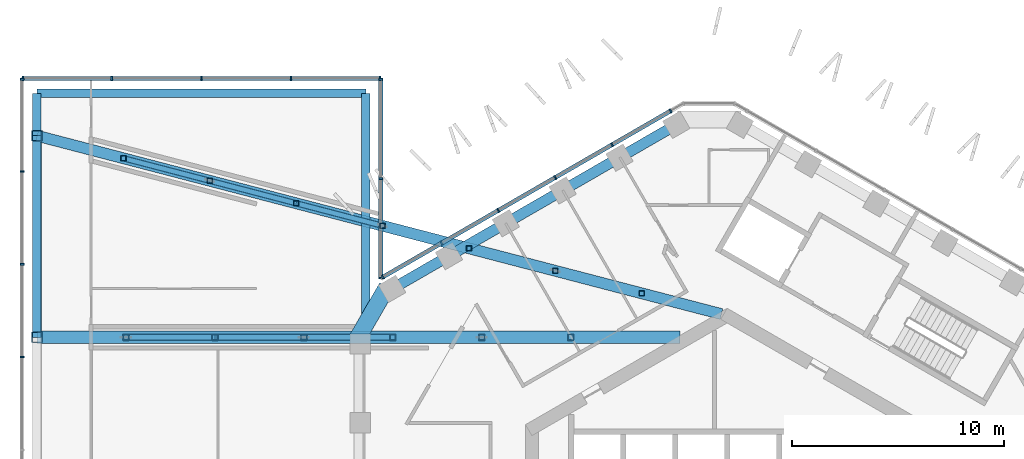
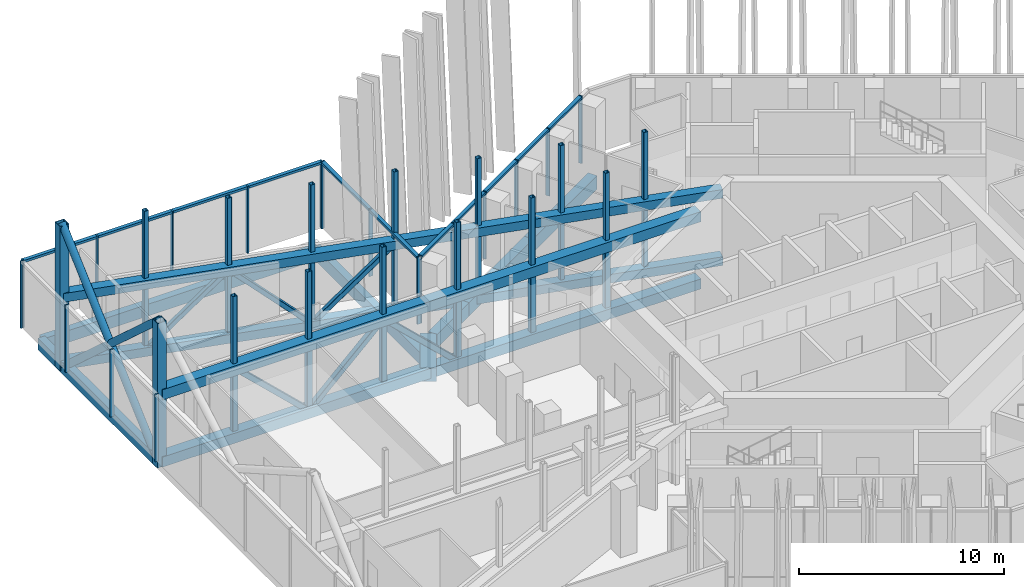
# One storey, part 8 of 28: 61 members, 10 beams, 4 elements without a shape of their own.
"""IFC4 building model written with IfcOpenShell, lengths in metres."""

import ifcopenshell
import ifcopenshell.guid

model = None  # the IFC model being written
_history = None  # IfcOwnerHistory: only IFC2X3 demands one
_inside = {}  # id of a spatial element -> (the spatial element, [elements in it])
_under = {}  # id of a project, library or spatial element -> (it, [spatial elements below it])
_declared = {}  # id of a project -> (the project, [libraries it declares])
_typed = {}  # id of a type object -> (the type object, [elements of that type])
_made_of = {}  # id of a material, layer set ... -> (it, [elements and type objects made of it])


def new_model(schema):
    """Start an empty IFC model of exactly this schema.

    Asked for "IFC4X3", IfcOpenShell would pick the latest addendum, in which some entities
    have other attributes; the version numbers below select the first issue.
    IFC2X3 requires an IfcOwnerHistory on every rooted entity: one is made here for all.
    """
    global model, _history
    if schema == "IFC4X3":
        model = ifcopenshell.file(schema_version=(4, 3, 0, 0))
    else:
        model = ifcopenshell.file(schema=schema)
    _inside.clear()
    _under.clear()
    _declared.clear()
    _typed.clear()
    _made_of.clear()
    _history = None
    if model.schema == "IFC2X3":
        org = make("IfcOrganization", Name="unknown")
        user = make(
            "IfcPersonAndOrganization",
            ThePerson=make("IfcPerson", FamilyName="unknown"),
            TheOrganization=org,
        )
        app = make(
            "IfcApplication",
            ApplicationDeveloper=org,
            Version="unknown",
            ApplicationFullName="unknown",
            ApplicationIdentifier="unknown",
        )
        _history = make(
            "IfcOwnerHistory",
            OwningUser=user,
            OwningApplication=app,
            ChangeAction="ADDED",
            CreationDate=0,
        )
    return model


def make(cls, **values):
    """One entity of the class cls with the attributes given. An attribute that is None is left unset."""
    return model.create_entity(
        cls, **{name: value for name, value in values.items() if value is not None}
    )


def rooted(cls, **values):
    """An entity with a GlobalId (a new one), such as an element, a storey or a relation."""
    return make(cls, GlobalId=ifcopenshell.guid.new(), OwnerHistory=_history, **values)


def si_unit(unit_type, name, prefix=None):
    """IfcSIUnit, for example si_unit("LENGTHUNIT", "METRE", prefix="MILLI")."""
    return make("IfcSIUnit", UnitType=unit_type, Prefix=prefix, Name=name)


def assignment(units):
    """IfcUnitAssignment: the units of a project."""
    return None if units is None else make("IfcUnitAssignment", Units=units)


def point(xyz):
    """IfcCartesianPoint."""
    return None if xyz is None else make("IfcCartesianPoint", Coordinates=xyz)


def direction(xyz):
    """IfcDirection."""
    return None if xyz is None else make("IfcDirection", DirectionRatios=xyz)


def frame(location, z_axis=None, x_axis=None):
    """IfcAxis2Placement3D, a coordinate frame: its origin and axes. An axis left out is left unset."""
    return make(
        "IfcAxis2Placement3D",
        Location=point(location),
        Axis=direction(z_axis),
        RefDirection=direction(x_axis),
    )


def frame_2d(location, x_axis=None):
    """IfcAxis2Placement2D, a coordinate frame in the plane: its origin and x axis."""
    return make(
        "IfcAxis2Placement2D", Location=point(location), RefDirection=direction(x_axis)
    )


def origin():
    """The frame at (0, 0, 0) with its axes left unset."""
    return frame((0.0, 0.0, 0.0))


def origin_2d():
    """The frame at (0, 0) in the plane with its x axis left unset."""
    return frame_2d((0.0, 0.0))


def place(relative_to, where):
    """IfcLocalPlacement: puts the frame where relative to a parent placement (None: the world)."""
    return make(
        "IfcLocalPlacement", PlacementRelTo=relative_to, RelativePlacement=where
    )


def context(
    kind, dimensions, precision=None, world=None, true_north=None, identifier=None
):
    """IfcGeometricRepresentationContext, for example the 3D "Model" context."""
    return make(
        "IfcGeometricRepresentationContext",
        ContextIdentifier=identifier,
        ContextType=kind,
        CoordinateSpaceDimension=dimensions,
        Precision=precision,
        WorldCoordinateSystem=world,
        TrueNorth=true_north,
    )


def subcontext(parent, identifier, kind, view, scale=None):
    """IfcGeometricRepresentationSubContext, for example "Body" below "Model"."""
    return make(
        "IfcGeometricRepresentationSubContext",
        ContextIdentifier=identifier,
        ContextType=kind,
        ParentContext=parent,
        TargetScale=scale,
        TargetView=view,
    )


def project(units=None, contexts=None):
    """IfcProject with its units and contexts."""
    return rooted(
        "IfcProject",
        Name="project",
        RepresentationContexts=contexts,
        UnitsInContext=assignment(units),
    )


def spatial(cls, under=None, at=None, **own):
    """A site, building, storey or space (cls), placed at a placement, below another one or the project."""
    s = rooted(cls, ObjectPlacement=at, **own)
    if under is not None:
        _under.setdefault(under.id(), (under, []))[1].append(s)
    return s


def profile(cls, at=None, kind="AREA", **sizes):
    """A parametric profile (cls). Its sizes go by their IFC names, for example OverallWidth=200.0."""
    return make(cls, ProfileType=kind, Position=at, **sizes)


def rectangle(**sizes):
    """IfcRectangleProfileDef."""
    return profile("IfcRectangleProfileDef", **sizes)


def hollow_rectangle(**sizes):
    """IfcRectangleHollowProfileDef."""
    return profile("IfcRectangleHollowProfileDef", **sizes)


def hollow_circle(**sizes):
    """IfcCircleHollowProfileDef."""
    return profile("IfcCircleHollowProfileDef", **sizes)


def extrude(swept, where, along, depth):
    """IfcExtrudedAreaSolid: the profile swept, set in the frame where, extruded along a direction by depth."""
    return make(
        "IfcExtrudedAreaSolid",
        SweptArea=swept,
        Position=where,
        ExtrudedDirection=direction(along),
        Depth=depth,
    )


def shape(context_of_items, identifier, shape_type, items):
    """IfcShapeRepresentation: the items that make up one representation, for example the "Body"."""
    return make(
        "IfcShapeRepresentation",
        ContextOfItems=context_of_items,
        RepresentationIdentifier=identifier,
        RepresentationType=shape_type,
        Items=items,
    )


def material(Name=None, Category=None):
    """IfcMaterial."""
    return make("IfcMaterial", Name=Name, Category=Category)


def layer(
    of_material, thickness, ventilated=None, Name=None, Category=None, Priority=None
):
    """IfcMaterialLayer: one layer of a wall or slab, of a material (None: an air gap)."""
    return make(
        "IfcMaterialLayer",
        Material=of_material,
        LayerThickness=thickness,
        IsVentilated=ventilated,
        Name=Name,
        Category=Category,
        Priority=Priority,
    )


def layer_set(layers, Name=None):
    """IfcMaterialLayerSet."""
    return make("IfcMaterialLayerSet", MaterialLayers=layers, LayerSetName=Name)


def material_profile(
    of_material, cross_section, Name=None, Category=None, Priority=None
):
    """IfcMaterialProfile: a cross section and its material."""
    return make(
        "IfcMaterialProfile",
        Name=Name,
        Material=of_material,
        Profile=cross_section,
        Priority=Priority,
        Category=Category,
    )


def profile_set(profiles, Name=None, composite=None):
    """IfcMaterialProfileSet."""
    return make(
        "IfcMaterialProfileSet",
        Name=Name,
        MaterialProfiles=profiles,
        CompositeProfile=composite,
    )


def made_of(thing, what):
    """Note that an element or type object is made of a material, layer set ...; save() writes the relation."""
    if what is not None:
        _made_of.setdefault(what.id(), (what, []))[1].append(thing)
    return thing


def type_object(cls, material=None, **own):
    """A type object (cls), such as IfcWallType, which elements share."""
    return made_of(rooted(cls, **own), material)


def element(
    cls,
    number,
    at=None,
    inside=None,
    cuts=None,
    type_object=None,
    material=None,
    context=None,
    identifier="Body",
    shape_type=None,
    held_by="IfcProductDefinitionShape",
    body=None,
    shapes=None,
    **own,
):
    """One element of the class cls, such as IfcWall. Its Tag is "e" and its number.

    at: its placement. inside: the storey or other place that contains it. cuts: it is an
    opening in that element (IfcRelVoidsElement). A single representation is given by context,
    identifier, shape_type and body (its items); several are given by shapes. held_by: the class
    of the entity that holds the representations. save() writes the other relations.
    """
    e = rooted(cls, Tag="e%d" % number, ObjectPlacement=at, **own)
    if body is not None:
        shapes = [shape(context, identifier, shape_type, body)]
    if shapes is not None:
        e.Representation = make(held_by, Representations=shapes)
    if inside is not None:
        _inside.setdefault(inside.id(), (inside, []))[1].append(e)
    if cuts is not None:
        rooted(
            "IfcRelVoidsElement", RelatingBuildingElement=cuts, RelatedOpeningElement=e
        )
    if type_object is not None:
        _typed.setdefault(type_object.id(), (type_object, []))[1].append(e)
    return made_of(e, material)


def aggregate(whole, parts):
    """IfcRelAggregates: a whole, such as a stair, and the parts it consists of."""
    return rooted("IfcRelAggregates", RelatingObject=whole, RelatedObjects=parts)


def save(model, path):
    """Write the relations noted so far, then the file.

    IfcRelAggregates (storeys below a building ...), IfcRelContainedInSpatialStructure (elements
    in a storey), IfcRelDefinesByType, IfcRelAssociatesMaterial and IfcRelDeclares: one each for
    every whole, place, type object, material and project.
    """
    for whole, parts in _under.values():
        aggregate(whole, parts)
    for where, things in _inside.values():
        rooted(
            "IfcRelContainedInSpatialStructure",
            RelatedElements=things,
            RelatingStructure=where,
        )
    for kind, things in _typed.values():
        rooted("IfcRelDefinesByType", RelatedObjects=things, RelatingType=kind)
    for what, things in _made_of.values():
        rooted("IfcRelAssociatesMaterial", RelatedObjects=things, RelatingMaterial=what)
    for by, libraries in _declared.values():
        rooted("IfcRelDeclares", RelatingContext=by, RelatedDefinitions=libraries)
    model.write(path)


model = new_model("IFC4")

# Units and contexts
model_context = context("Model", 3, precision=1e-05, world=origin(), true_north=direction((0.0, 1.0)))
body_context = subcontext(model_context, "Body", "Model", "MODEL_VIEW")
ifc_project = project(units=[si_unit("LENGTHUNIT", "METRE"), si_unit("AREAUNIT", "SQUARE_METRE"), si_unit("VOLUMEUNIT", "CUBIC_METRE"), si_unit("PLANEANGLEUNIT", "RADIAN"), si_unit("MASSUNIT", "GRAM", prefix="KILO")], contexts=[model_context])

# Site, building, storey
site_placement = place(None, origin())
site = spatial("IfcSite", under=ifc_project, at=site_placement, CompositionType="ELEMENT")
building_placement = place(site_placement, origin())
building = spatial("IfcBuilding", under=site, at=building_placement, Name="Ayvan Gate Tower", CompositionType="ELEMENT")
storey_placement = place(building_placement, frame((0.0, 0.0, 202.10009765625)))
storey = spatial("IfcBuildingStorey", under=building, at=storey_placement, Name="L54", CompositionType="ELEMENT", Elevation=202.10009765625)

# Beams
ifc_material_1 = material(Name="Concrete C40/50", Category="concrete")
ifc_material_profile_1 = material_profile(ifc_material_1, rectangle(XDim=0.800048828125, YDim=0.800048828125, at=origin_2d()), Name="RC 800x800")
ifc_profile_set_1 = profile_set([ifc_material_profile_1], Name="Concrete C40/50")
beam_type_1 = type_object("IfcBeamType", Name="Corner spandrel beam RC 800x800 C40/50", PredefinedType="BEAM", material=ifc_profile_set_1)
beam_1_placement = place(storey_placement, frame((-16.02880859375, 11.9658203125, -0.800048828125), z_axis=(-0.499990139034, -0.866031096941, 0.0), x_axis=(0.866031096941, -0.499990139034, 0.0)))
element("IfcBeam", 1, at=beam_1_placement, inside=storey, type_object=beam_type_1, Name="SB-L54-18", PredefinedType="BEAM", context=body_context, shape_type="SweptSolid", body=[
    extrude(rectangle(XDim=0.800048828125, YDim=0.800048828125, at=origin_2d()), origin(), (0.0, 0.0, 1.0), 3.0),
])
ifc_material_profile_2 = material_profile(ifc_material_1, rectangle(XDim=0.39990234375, YDim=0.699951171875, at=origin_2d()), Name="RC 400x700")
ifc_profile_set_2 = profile_set([ifc_material_profile_2], Name="Concrete C40/50")
beam_type_2 = type_object("IfcBeamType", Name="Sky bar edge beam RC 400x700 C40/50", PredefinedType="BEAM", material=ifc_profile_set_2)
beam_2_placement = place(storey_placement, frame((-32.524169921875, 9.60009765625, -0.75), z_axis=(0.0, 1.0, 0.0), x_axis=(-1.0, 0.0, 0.0)))
element("IfcBeam", 2, at=beam_2_placement, inside=storey, type_object=beam_type_2, Name="EB-B5-L54-6", PredefinedType="BEAM", context=body_context, shape_type="SweptSolid", body=[
    extrude(rectangle(XDim=0.39990234375, YDim=0.699951171875, at=origin_2d()), origin(), (0.0, 0.0, 1.0), 9.5),
])
beam_3_placement = place(storey_placement, frame((-32.524169921875, 19.10009765625, -0.75), z_axis=(0.0, 1.0, 0.0), x_axis=(-1.0, 0.0, 0.0)))
element("IfcBeam", 3, at=beam_3_placement, inside=storey, type_object=beam_type_2, Name="EB-B5-L54-7", PredefinedType="BEAM", context=body_context, shape_type="SweptSolid", body=[
    extrude(rectangle(XDim=0.39990234375, YDim=0.699951171875, at=origin_2d()), origin(), (0.0, 0.0, 1.0), 2.0),
])
beam_4_placement = place(storey_placement, frame((-32.524169921875, 21.10009765625, -0.75), z_axis=(1.0, 0.0, 0.0), x_axis=(0.0, 1.0, 0.0)))
element("IfcBeam", 4, at=beam_4_placement, inside=storey, type_object=beam_type_2, Name="EB-B5-L54-8", PredefinedType="BEAM", context=body_context, shape_type="SweptSolid", body=[
    extrude(rectangle(XDim=0.39990234375, YDim=0.699951171875, at=origin_2d()), origin(), (0.0, 0.0, 1.0), 15.5),
])
beam_5_placement = place(storey_placement, frame((-17.024169921875, 21.10009765625, -0.75), z_axis=(0.0, -1.0, 0.0), x_axis=(1.0, 0.0, 0.0)))
element("IfcBeam", 5, at=beam_5_placement, inside=storey, type_object=beam_type_2, Name="EB-B5-L54-9", PredefinedType="BEAM", context=body_context, shape_type="SweptSolid", body=[
    extrude(rectangle(XDim=0.39990234375, YDim=0.699951171875, at=origin_2d()), origin(), (0.0, 0.0, 1.0), 10.637451171875),
])

# Members
ifc_material_2 = material(Name="Steel S460NH", Category="steel")
ifc_material_profile_3 = material_profile(ifc_material_2, hollow_rectangle(XDim=0.260009765625, YDim=0.260009765625, WallThickness=0.01611328125, InnerFilletRadius=0.01611328125, OuterFilletRadius=0.02392578125, at=origin_2d()), Name="RHS 260x260x16")
ifc_profile_set_3 = profile_set([ifc_material_profile_3], Name="Steel S460NH")
member_type_1 = type_object("IfcMemberType", Name="Sky bar end truss brace B5 RHS 260x260x16", PredefinedType="BRACE", material=ifc_profile_set_3)
member_1_placement = place(storey_placement, frame((-16.238525390625, 14.85595703125, 3.2998046875), z_axis=(-0.701330219095, 0.182765553288, -0.689008473326), x_axis=(-0.252176233135, -0.967681325355, 0.0)))
element("IfcMember", 6, at=member_1_placement, inside=storey, type_object=member_type_1, Name="SBT5-1-D-5", PredefinedType="BRACE", context=body_context, shape_type="SweptSolid", body=[
    extrude(hollow_rectangle(XDim=0.260009765625, YDim=0.260009765625, WallThickness=0.01611328125, InnerFilletRadius=0.01611328125, OuterFilletRadius=0.02392578125, at=origin_2d()), origin(), (0.0, 0.0, 1.0), 5.805419921875),
])
member_2_placement = place(storey_placement, frame((-20.31005859375, 15.9169921875, -0.7001953125), z_axis=(-0.701308849134, 0.182770943772, 0.689028794927), x_axis=(-0.252190393502, -0.967677635076, 0.0)))
element("IfcMember", 7, at=member_2_placement, inside=storey, type_object=member_type_1, Name="SBT5-1-D-6", PredefinedType="BRACE", context=body_context, shape_type="SweptSolid", body=[
    extrude(hollow_rectangle(XDim=0.260009765625, YDim=0.260009765625, WallThickness=0.01611328125, InnerFilletRadius=0.01611328125, OuterFilletRadius=0.02392578125, at=origin_2d()), origin(), (0.0, 0.0, 1.0), 5.80517578125),
])
member_3_placement = place(storey_placement, frame((-24.38134765625, 16.97802734375, 3.2998046875), z_axis=(-0.701330219095, 0.182765553288, -0.689008473326), x_axis=(-0.252176233135, -0.967681325355, 0.0)))
element("IfcMember", 8, at=member_3_placement, inside=storey, type_object=member_type_1, Name="SBT5-1-D-7", PredefinedType="BRACE", context=body_context, shape_type="SweptSolid", body=[
    extrude(hollow_rectangle(XDim=0.260009765625, YDim=0.260009765625, WallThickness=0.01611328125, InnerFilletRadius=0.01611328125, OuterFilletRadius=0.02392578125, at=origin_2d()), origin(), (0.0, 0.0, 1.0), 5.805419921875),
])
ifc_material_3 = material(Name="Steel S460ML", Category="steel")
ifc_material_profile_4 = material_profile(ifc_material_3, hollow_rectangle(XDim=0.52001953125, YDim=0.52001953125, WallThickness=0.030029296875, at=origin_2d()), Name="BOX 520x520x30")
ifc_profile_set_4 = profile_set([ifc_material_profile_4], Name="Steel S460ML")
member_type_2 = type_object("IfcMemberType", Name="Sky bar end truss chord B5 BOX 520x520x30", PredefinedType="CHORD", material=ifc_profile_set_4)
for number, where, z_axis, x_axis, name in (
    (9, (-0.266845703125, 10.69384765625, -0.7001953125), (-0.967681017999, 0.252177412559, 0.0), (-0.252177412559, -0.967681017999, 0.0), "SBT5-1-BC-1"),
    (10, (-0.266845703125, 10.69384765625, 3.2998046875), (-0.967681017999, 0.252177412559, 0.0), (-0.252177412559, -0.967681017999, 0.0), "SBT5-1-TC-1"),
):
    element("IfcMember", number, at=place(storey_placement, frame(where, z_axis=z_axis, x_axis=x_axis)), inside=storey, type_object=member_type_2, Name=name, PredefinedType="CHORD", context=body_context, shape_type="SweptSolid", body=[
        extrude(hollow_rectangle(XDim=0.52001953125, YDim=0.52001953125, WallThickness=0.030029296875, at=origin_2d()), origin(), (0.0, 0.0, 1.0), 33.334716796875),
    ])
ifc_material_profile_5 = material_profile(ifc_material_2, hollow_rectangle(XDim=0.239990234375, YDim=0.239990234375, WallThickness=0.012451171875, InnerFilletRadius=0.012451171875, OuterFilletRadius=0.018798828125, at=origin_2d()), Name="RHS 240x240x12.5")
ifc_profile_set_5 = profile_set([ifc_material_profile_5], Name="Steel S460NH")
member_type_3 = type_object("IfcMemberType", Name="Sky bar end truss post B5 RHS 240x240x12.5", PredefinedType="POST", material=ifc_profile_set_5)
for number, where, z_axis, x_axis, name in (
    (11, (-4.0244140625, 11.673095703125, -0.400146484375), (0.0, 0.0, 1.0), (1.0, 0.0, 0.0), "SBT5-1-P-1"),
    (12, (-8.095703125, 12.734130859375, -0.400146484375), (0.0, 0.0, 1.0), (1.0, 0.0, 0.0), "SBT5-1-P-2"),
    (13, (-12.167236328125, 13.795166015625, -0.400146484375), (0.0, 0.0, 1.0), (1.0, 0.0, 0.0), "SBT5-1-P-3"),
    (14, (-16.238525390625, 14.85595703125, -0.400146484375), (0.0, 0.0, 1.0), (1.0, 0.0, 0.0), "SBT5-1-P-4"),
    (15, (-20.31005859375, 15.9169921875, -0.400146484375), (0.0, 0.0, 1.0), (1.0, 0.0, 0.0), "SBT5-1-P-5"),
    (16, (-24.38134765625, 16.97802734375, -0.400146484375), (0.0, 0.0, 1.0), (1.0, 0.0, 0.0), "SBT5-1-P-6"),
    (17, (-28.452880859375, 18.0390625, -0.400146484375), (0.0, 0.0, 1.0), (1.0, 0.0, 0.0), "SBT5-1-P-7"),
):
    element("IfcMember", number, at=place(storey_placement, frame(where, z_axis=z_axis, x_axis=x_axis)), inside=storey, type_object=member_type_3, Name=name, PredefinedType="POST", context=body_context, shape_type="SweptSolid", body=[
        extrude(hollow_rectangle(XDim=0.239990234375, YDim=0.239990234375, WallThickness=0.012451171875, InnerFilletRadius=0.012451171875, OuterFilletRadius=0.018798828125, at=origin_2d()), origin(), (0.0, 0.0, 1.0), 3.400146484375),
    ])
ifc_material_profile_6 = material_profile(ifc_material_3, hollow_rectangle(XDim=0.5, YDim=0.5, WallThickness=0.030029296875, at=origin_2d()), Name="BOX 500x500x30")
ifc_profile_set_6 = profile_set([ifc_material_profile_6], Name="Steel S460ML")
member_type_4 = type_object("IfcMemberType", Name="Sky bar end wall post BOX 500x500x30", PredefinedType="POST", material=ifc_profile_set_6)
for number, where, z_axis, x_axis, name in (
    (18, (-32.524169921875, 19.10009765625, -1.0), (0.0, 0.0, 1.0), (1.0, 0.0, 0.0), "EXO-B5-P1"),
    (19, (-32.524169921875, 9.60009765625, -1.0), (0.0, 0.0, 1.0), (1.0, 0.0, 0.0), "EXO-B5-P2"),
):
    element("IfcMember", number, at=place(storey_placement, frame(where, z_axis=z_axis, x_axis=x_axis)), inside=storey, type_object=member_type_4, Name=name, PredefinedType="POST", context=body_context, shape_type="SweptSolid", body=[
        extrude(hollow_rectangle(XDim=0.5, YDim=0.5, WallThickness=0.030029296875, at=origin_2d()), origin(), (0.0, 0.0, 1.0), 8.599853515625),
    ])
ifc_material_profile_7 = material_profile(ifc_material_2, hollow_circle(Radius=0.203125, WallThickness=0.01611328125, at=origin_2d()), Name="CHS 406.4x16")
ifc_profile_set_7 = profile_set([ifc_material_profile_7], Name="Steel S460NH")
member_type_5 = type_object("IfcMemberType", Name="Sky bar exoskeleton brace CHS 406.4x16", PredefinedType="BRACE", material=ifc_profile_set_7)
for number, where, z_axis, x_axis, name in (
    (20, (-32.524169921875, 19.10009765625, -1.0), (0.0, -0.74135656286, 0.671111351941), (1.0, 0.0, 0.0), "EXO-B5-D1A"),
    (21, (-32.524169921875, 9.60009765625, -1.0), (0.0, 0.74135656286, 0.671111351941), (-1.0, 0.0, 0.0), "EXO-B5-D1B"),
):
    element("IfcMember", number, at=place(storey_placement, frame(where, z_axis=z_axis, x_axis=x_axis)), inside=storey, type_object=member_type_5, Name=name, PredefinedType="BRACE", context=body_context, shape_type="SweptSolid", body=[
        extrude(hollow_circle(Radius=0.203125, WallThickness=0.01611328125, at=origin_2d()), origin(), (0.0, 0.0, 1.0), 12.814453125),
    ])
ifc_material_profile_8 = material_profile(ifc_material_2, hollow_rectangle(XDim=0.300048828125, YDim=0.300048828125, WallThickness=0.01611328125, InnerFilletRadius=0.01611328125, OuterFilletRadius=0.02392578125, at=origin_2d()), Name="RHS 300x300x16")
ifc_profile_set_8 = profile_set([ifc_material_profile_8], Name="Steel S460NH")
member_type_6 = type_object("IfcMemberType", Name="Sky bar truss brace B5 RHS 300x300x16", PredefinedType="BRACE", material=ifc_profile_set_8)
for number, where, z_axis, x_axis, name in (
    (22, (-15.75634765625, 9.60009765625, -0.7001953125), (-0.723472238678, 0.0, 0.690353474578), (0.0, -1.0, 0.0), "SBT5-2-D-4"),
    (23, (-19.9482421875, 9.60009765625, 3.2998046875), (-0.723492319189, 0.0, -0.69033243012), (0.0, -1.0, 0.0), "SBT5-2-D-5"),
    (24, (-24.140380859375, 9.60009765625, -0.7001953125), (-0.723472238678, 0.0, 0.690353474578), (0.0, -1.0, 0.0), "SBT5-2-D-6"),
):
    element("IfcMember", number, at=place(storey_placement, frame(where, z_axis=z_axis, x_axis=x_axis)), inside=storey, type_object=member_type_6, Name=name, PredefinedType="BRACE", context=body_context, shape_type="SweptSolid", body=[
        extrude(hollow_rectangle(XDim=0.300048828125, YDim=0.300048828125, WallThickness=0.01611328125, InnerFilletRadius=0.01611328125, OuterFilletRadius=0.02392578125, at=origin_2d()), origin(), (0.0, 0.0, 1.0), 5.794189453125),
    ])
ifc_material_profile_9 = material_profile(ifc_material_3, hollow_rectangle(XDim=0.60009765625, YDim=0.60009765625, WallThickness=0.034912109375, at=origin_2d()), Name="BOX 600x600x35")
ifc_profile_set_9 = profile_set([ifc_material_profile_9], Name="Steel S460ML")
member_type_7 = type_object("IfcMemberType", Name="Sky bar truss chord B5 BOX 600x600x35", PredefinedType="CHORD", material=ifc_profile_set_9)
for number, where, z_axis, x_axis, name in (
    (25, (-2.222412109375, 9.60009765625, -0.7001953125), (-1.0, 0.0, 0.0), (0.0, -1.0, 0.0), "SBT5-2-BC-1"),
    (26, (-2.222412109375, 9.60009765625, 3.2998046875), (-1.0, 0.0, 0.0), (0.0, -1.0, 0.0), "SBT5-2-TC-1"),
):
    element("IfcMember", number, at=place(storey_placement, frame(where, z_axis=z_axis, x_axis=x_axis)), inside=storey, type_object=member_type_7, Name=name, PredefinedType="CHORD", context=body_context, shape_type="SweptSolid", body=[
        extrude(hollow_rectangle(XDim=0.60009765625, YDim=0.60009765625, WallThickness=0.034912109375, at=origin_2d()), origin(), (0.0, 0.0, 1.0), 30.3017578125),
    ])
ifc_material_profile_10 = material_profile(ifc_material_2, hollow_rectangle(XDim=0.300048828125, YDim=0.300048828125, WallThickness=0.012451171875, InnerFilletRadius=0.012451171875, OuterFilletRadius=0.018798828125, at=origin_2d()), Name="RHS 300x300x12.5")
ifc_profile_set_10 = profile_set([ifc_material_profile_10], Name="Steel S460NH")
member_type_8 = type_object("IfcMemberType", Name="Sky bar truss post B5 RHS 300x300x12.5", PredefinedType="POST", material=ifc_profile_set_10)
for number, where, z_axis, x_axis, name in (
    (27, (-7.372314453125, 9.60009765625, -0.400146484375), (0.0, 0.0, 1.0), (1.0, 0.0, 0.0), "SBT5-2-P-1"),
    (28, (-11.564208984375, 9.60009765625, -0.400146484375), (0.0, 0.0, 1.0), (1.0, 0.0, 0.0), "SBT5-2-P-2"),
    (29, (-15.75634765625, 9.60009765625, -0.400146484375), (0.0, 0.0, 1.0), (1.0, 0.0, 0.0), "SBT5-2-P-3"),
    (30, (-19.9482421875, 9.60009765625, -0.400146484375), (0.0, 0.0, 1.0), (1.0, 0.0, 0.0), "SBT5-2-P-4"),
    (31, (-24.140380859375, 9.60009765625, -0.400146484375), (0.0, 0.0, 1.0), (1.0, 0.0, 0.0), "SBT5-2-P-5"),
    (32, (-28.332275390625, 9.60009765625, -0.400146484375), (0.0, 0.0, 1.0), (1.0, 0.0, 0.0), "SBT5-2-P-6"),
):
    element("IfcMember", number, at=place(storey_placement, frame(where, z_axis=z_axis, x_axis=x_axis)), inside=storey, type_object=member_type_8, Name=name, PredefinedType="POST", context=body_context, shape_type="SweptSolid", body=[
        extrude(hollow_rectangle(XDim=0.300048828125, YDim=0.300048828125, WallThickness=0.012451171875, InnerFilletRadius=0.012451171875, OuterFilletRadius=0.018798828125, at=origin_2d()), origin(), (0.0, 0.0, 1.0), 3.400146484375),
    ])
ifc_material_profile_11 = material_profile(ifc_material_2, hollow_rectangle(XDim=0.25, YDim=0.25, WallThickness=0.012451171875, InnerFilletRadius=0.012451171875, OuterFilletRadius=0.018798828125, at=origin_2d()), Name="RHS 250x250x12.5")
ifc_profile_set_11 = profile_set([ifc_material_profile_11], Name="Steel S460NH")
member_type_9 = type_object("IfcMemberType", Name="Sky bar upper post B5 RHS 250x250x12.5", PredefinedType="POST", material=ifc_profile_set_11)
for number, where, z_axis, x_axis, name in (
    (33, (-4.0244140625, 11.673095703125, 3.599853515625), (0.0, 0.0, 1.0), (1.0, 0.0, 0.0), "SBT5-1-U-1"),
    (34, (-8.095703125, 12.734130859375, 3.599853515625), (0.0, 0.0, 1.0), (1.0, 0.0, 0.0), "SBT5-1-U-2"),
    (35, (-12.167236328125, 13.795166015625, 3.599853515625), (0.0, 0.0, 1.0), (1.0, 0.0, 0.0), "SBT5-1-U-3"),
    (36, (-16.238525390625, 14.85595703125, 3.599853515625), (0.0, 0.0, 1.0), (1.0, 0.0, 0.0), "SBT5-1-U-4"),
    (37, (-20.31005859375, 15.9169921875, 3.599853515625), (0.0, 0.0, 1.0), (1.0, 0.0, 0.0), "SBT5-1-U-5"),
    (38, (-24.38134765625, 16.97802734375, 3.599853515625), (0.0, 0.0, 1.0), (1.0, 0.0, 0.0), "SBT5-1-U-6"),
    (39, (-28.452880859375, 18.0390625, 3.599853515625), (0.0, 0.0, 1.0), (1.0, 0.0, 0.0), "SBT5-1-U-7"),
    (40, (-7.372314453125, 9.60009765625, 3.599853515625), (0.0, 0.0, 1.0), (1.0, 0.0, 0.0), "SBT5-2-U-1"),
    (41, (-11.564208984375, 9.60009765625, 3.599853515625), (0.0, 0.0, 1.0), (1.0, 0.0, 0.0), "SBT5-2-U-2"),
    (42, (-15.75634765625, 9.60009765625, 3.599853515625), (0.0, 0.0, 1.0), (1.0, 0.0, 0.0), "SBT5-2-U-3"),
    (43, (-19.9482421875, 9.60009765625, 3.599853515625), (0.0, 0.0, 1.0), (1.0, 0.0, 0.0), "SBT5-2-U-4"),
    (44, (-24.140380859375, 9.60009765625, 3.599853515625), (0.0, 0.0, 1.0), (1.0, 0.0, 0.0), "SBT5-2-U-5"),
    (45, (-28.332275390625, 9.60009765625, 3.599853515625), (0.0, 0.0, 1.0), (1.0, 0.0, 0.0), "SBT5-2-U-6"),
):
    element("IfcMember", number, at=place(storey_placement, frame(where, z_axis=z_axis, x_axis=x_axis)), inside=storey, type_object=member_type_9, Name=name, PredefinedType="POST", context=body_context, shape_type="SweptSolid", body=[
        extrude(hollow_rectangle(XDim=0.25, YDim=0.25, WallThickness=0.012451171875, InnerFilletRadius=0.012451171875, OuterFilletRadius=0.018798828125, at=origin_2d()), origin(), (0.0, 0.0, 1.0), 4.0),
    ])

# Beams
ifc_material_profile_12 = material_profile(ifc_material_1, rectangle(XDim=0.5, YDim=0.800048828125, at=origin_2d()), Name="RC 500x800")
ifc_profile_set_12 = profile_set([ifc_material_profile_12], Name="Concrete C40/50")
beam_type_3 = type_object("IfcBeamType", Name="Spandrel beam RC 500x800 C40/50", PredefinedType="BEAM", material=ifc_profile_set_12)
beam_6_placement = place(storey_placement, frame((-2.348388671875, 19.644287109375, -0.800048828125), z_axis=(-0.866001576138, -0.500041268423, 0.0), x_axis=(0.500041268423, -0.866001576138, 0.0)))
element("IfcBeam", 46, at=beam_6_placement, inside=storey, type_object=beam_type_3, Name="SB-L54-13", PredefinedType="BEAM", context=body_context, shape_type="SweptSolid", body=[
    extrude(rectangle(XDim=0.5, YDim=0.800048828125, at=origin_2d()), origin(), (0.0, 0.0, 1.0), 3.115478515625),
])
for number, where, z_axis, x_axis, name in (
    (47, (-5.04638671875, 18.08642578125, -0.800048828125), (-0.866035509988, -0.499982495134, 0.0), (0.499982495134, -0.866035509988, 0.0), "SB-L54-14"),
    (48, (-7.744384765625, 16.52880859375, -0.800048828125), (-0.866015917575, -0.500016430238, 0.0), (0.500016430238, -0.866015917575, 0.0), "SB-L54-15"),
    (49, (-10.442138671875, 14.97119140625, -0.800048828125), (-0.866035509988, -0.499982495134, 0.0), (0.499982495134, -0.866035509988, 0.0), "SB-L54-16"),
):
    element("IfcBeam", number, at=place(storey_placement, frame(where, z_axis=z_axis, x_axis=x_axis)), inside=storey, type_object=beam_type_3, Name=name, PredefinedType="BEAM", context=body_context, shape_type="SweptSolid", body=[
        extrude(rectangle(XDim=0.5, YDim=0.800048828125, at=origin_2d()), origin(), (0.0, 0.0, 1.0), 3.115234375),
    ])
beam_7_placement = place(storey_placement, frame((-13.14013671875, 13.41357421875, -0.800048828125), z_axis=(-0.866001576138, -0.500041268423, 0.0), x_axis=(0.500041268423, -0.866001576138, 0.0)))
element("IfcBeam", 50, at=beam_7_placement, inside=storey, type_object=beam_type_3, Name="SB-L54-17", PredefinedType="BEAM", context=body_context, shape_type="SweptSolid", body=[
    extrude(rectangle(XDim=0.5, YDim=0.800048828125, at=origin_2d()), origin(), (0.0, 0.0, 1.0), 3.115478515625),
])

# Curtain wall, members
ifc_material_4 = material(Name="Bronze anodised aluminium", Category="aluminium")
ifc_layer_1 = layer(ifc_material_4, 0.199951171875)
ifc_layer_set_1 = layer_set([ifc_layer_1], Name="Bronze anodised aluminium")
curtain_wall_type_1 = type_object("IfcCurtainWallType", Name="Stick curtain wall CW-2", PredefinedType="NOTDEFINED", material=ifc_layer_set_1)
curtain_wall_1_placement = place(storey_placement, origin())
curtain_wall_1 = element("IfcCurtainWall", 51, at=curtain_wall_1_placement, inside=storey, type_object=curtain_wall_type_1, Name="Stick curtain wall CW-2 L54", PredefinedType="NOTDEFINED")
ifc_material_profile_13 = material_profile(ifc_material_4, rectangle(XDim=0.199951171875, YDim=0.070068359375, at=origin_2d()), Name="Stick curtain wall CW-2 mullion 200 x 70")
ifc_profile_set_13 = profile_set([ifc_material_profile_13], Name="Bronze anodised aluminium")
member_type_10 = type_object("IfcMemberType", Name="Stick curtain wall CW-2 mullion 200 x 70", PredefinedType="MULLION", material=ifc_profile_set_13)
member_4_placement = place(storey_placement, frame((-2.662841796875, 20.27099609375, 0.0), z_axis=(0.0, 0.0, 1.0), x_axis=(-0.5, 0.866025403784, 0.0)))
member_4 = element("IfcMember", 52, at=member_4_placement, type_object=member_type_10, Name="CW-2 mullion 1", PredefinedType="MULLION", context=body_context, shape_type="SweptSolid", body=[
    extrude(rectangle(XDim=0.199951171875, YDim=0.070068359375, at=origin_2d()), origin(), (0.0, 0.0, 1.0), 4.0),
])
member_5_placement = place(storey_placement, frame((-5.42529296875, 18.676025390625, 0.0), z_axis=(0.0, 0.0, 1.0), x_axis=(-0.5, 0.866025403784, 0.0)))
member_5 = element("IfcMember", 53, at=member_5_placement, type_object=member_type_10, Name="CW-2 mullion 2", PredefinedType="MULLION", context=body_context, shape_type="SweptSolid", body=[
    extrude(rectangle(XDim=0.199951171875, YDim=0.070068359375, at=origin_2d()), origin(), (0.0, 0.0, 1.0), 4.0),
])
member_6_placement = place(storey_placement, frame((-8.10400390625, 17.12939453125, 0.0), z_axis=(0.0, 0.0, 1.0), x_axis=(-0.5, 0.866025403784, 0.0)))
member_6 = element("IfcMember", 54, at=member_6_placement, type_object=member_type_10, Name="CW-2 mullion 3", PredefinedType="MULLION", context=body_context, shape_type="SweptSolid", body=[
    extrude(rectangle(XDim=0.199951171875, YDim=0.070068359375, at=origin_2d()), origin(), (0.0, 0.0, 1.0), 4.0),
])
member_7_placement = place(storey_placement, frame((-10.78271484375, 15.5830078125, 0.0), z_axis=(0.0, 0.0, 1.0), x_axis=(-0.5, 0.866025403784, 0.0)))
member_7 = element("IfcMember", 55, at=member_7_placement, type_object=member_type_10, Name="CW-2 mullion 4", PredefinedType="MULLION", context=body_context, shape_type="SweptSolid", body=[
    extrude(rectangle(XDim=0.199951171875, YDim=0.070068359375, at=origin_2d()), origin(), (0.0, 0.0, 1.0), 4.0),
])
member_8_placement = place(storey_placement, frame((-13.461181640625, 14.036376953125, 0.0), z_axis=(0.0, 0.0, 1.0), x_axis=(-0.5, 0.866025403784, 0.0)))
member_8 = element("IfcMember", 56, at=member_8_placement, type_object=member_type_10, Name="CW-2 mullion 5", PredefinedType="MULLION", context=body_context, shape_type="SweptSolid", body=[
    extrude(rectangle(XDim=0.199951171875, YDim=0.070068359375, at=origin_2d()), origin(), (0.0, 0.0, 1.0), 4.0),
])
member_9_placement = place(storey_placement, frame((-16.2236328125, 12.44140625, 0.0), z_axis=(0.0, 0.0, 1.0), x_axis=(-0.5, 0.866025403784, 0.0)))
member_9 = element("IfcMember", 57, at=member_9_placement, type_object=member_type_10, Name="CW-2 mullion 6", PredefinedType="MULLION", context=body_context, shape_type="SweptSolid", body=[
    extrude(rectangle(XDim=0.199951171875, YDim=0.070068359375, at=origin_2d()), origin(), (0.0, 0.0, 1.0), 4.0),
])
ifc_material_profile_14 = material_profile(ifc_material_4, rectangle(XDim=0.199951171875, YDim=0.1201171875, at=origin_2d()), Name="Stick curtain wall CW-2 transom 200 x 120")
ifc_profile_set_14 = profile_set([ifc_material_profile_14], Name="Bronze anodised aluminium")
member_type_11 = type_object("IfcMemberType", Name="Stick curtain wall CW-2 transom 200 x 120", PredefinedType="USERDEFINED", material=ifc_profile_set_14)
member_10_placement = place(storey_placement, frame((-2.662841796875, 20.27099609375, 3.93994140625), z_axis=(-0.866018117109, -0.50001262068, 0.0), x_axis=(0.50001262068, -0.866018117109, 0.0)))
member_10 = element("IfcMember", 58, at=member_10_placement, type_object=member_type_11, Name="CW-2 transom 1", ObjectType="TRANSOM", PredefinedType="USERDEFINED", context=body_context, shape_type="SweptSolid", body=[
    extrude(rectangle(XDim=0.199951171875, YDim=0.1201171875, at=origin_2d()), origin(), (0.0, 0.0, 1.0), 15.65869140625),
])
aggregate(curtain_wall_1, [member_4, member_5, member_6, member_7, member_8, member_9, member_10])

ifc_layer_2 = layer(ifc_material_4, 0.199951171875)
ifc_layer_set_2 = layer_set([ifc_layer_2], Name="Bronze anodised aluminium")
curtain_wall_type_2 = type_object("IfcCurtainWallType", Name="Stick curtain wall CW-4", PredefinedType="NOTDEFINED", material=ifc_layer_set_2)
curtain_wall_2_placement = place(storey_placement, origin())
curtain_wall_2 = element("IfcCurtainWall", 59, at=curtain_wall_2_placement, inside=storey, type_object=curtain_wall_type_2, Name="Stick curtain wall CW-4 L54", PredefinedType="NOTDEFINED")
ifc_material_profile_15 = material_profile(ifc_material_4, rectangle(XDim=0.199951171875, YDim=0.080078125, at=origin_2d()), Name="Stick curtain wall CW-4 mullion 200 x 80")
ifc_profile_set_15 = profile_set([ifc_material_profile_15], Name="Bronze anodised aluminium")
member_type_12 = type_object("IfcMemberType", Name="Stick curtain wall CW-4 mullion 200 x 80", PredefinedType="MULLION", material=ifc_profile_set_15)
member_11_placement = place(storey_placement, frame((-16.32421875, 12.393798828125, 0.0), z_axis=(0.0, 0.0, 1.0), x_axis=(1.0, 0.0, 0.0)))
member_11 = element("IfcMember", 60, at=member_11_placement, type_object=member_type_12, Name="CW-4 mullion 1", PredefinedType="MULLION", context=body_context, shape_type="SweptSolid", body=[
    extrude(rectangle(XDim=0.199951171875, YDim=0.080078125, at=origin_2d()), origin(), (0.0, 0.0, 1.0), 4.0),
])
member_12_placement = place(storey_placement, frame((-16.32421875, 17.076904296875, 0.0), z_axis=(0.0, 0.0, 1.0), x_axis=(1.0, 0.0, 0.0)))
member_12 = element("IfcMember", 61, at=member_12_placement, type_object=member_type_12, Name="CW-4 mullion 2", PredefinedType="MULLION", context=body_context, shape_type="SweptSolid", body=[
    extrude(rectangle(XDim=0.199951171875, YDim=0.080078125, at=origin_2d()), origin(), (0.0, 0.0, 1.0), 4.0),
])
member_13_placement = place(storey_placement, frame((-16.32421875, 21.760009765625, 0.0), z_axis=(0.0, 0.0, 1.0), x_axis=(1.0, 0.0, 0.0)))
member_13 = element("IfcMember", 62, at=member_13_placement, type_object=member_type_12, Name="CW-4 mullion 3", PredefinedType="MULLION", context=body_context, shape_type="SweptSolid", body=[
    extrude(rectangle(XDim=0.199951171875, YDim=0.080078125, at=origin_2d()), origin(), (0.0, 0.0, 1.0), 4.0),
])

curtain_wall_3_placement = place(storey_placement, origin())
curtain_wall_3 = element("IfcCurtainWall", 63, at=curtain_wall_3_placement, inside=storey, type_object=curtain_wall_type_2, Name="Stick curtain wall CW-4 L54", PredefinedType="NOTDEFINED")
member_14_placement = place(storey_placement, frame((-16.3642578125, 21.800048828125, 0.0), z_axis=(0.0, 0.0, 1.0), x_axis=(0.0, 1.0, 0.0)))
member_14 = element("IfcMember", 64, at=member_14_placement, type_object=member_type_12, Name="CW-4 mullion 1", PredefinedType="MULLION", context=body_context, shape_type="SweptSolid", body=[
    extrude(rectangle(XDim=0.199951171875, YDim=0.080078125, at=origin_2d()), origin(), (0.0, 0.0, 1.0), 4.0),
])
member_15_placement = place(storey_placement, frame((-20.54931640625, 21.800048828125, 0.0), z_axis=(0.0, 0.0, 1.0), x_axis=(0.0, 1.0, 0.0)))
member_15 = element("IfcMember", 65, at=member_15_placement, type_object=member_type_12, Name="CW-4 mullion 2", PredefinedType="MULLION", context=body_context, shape_type="SweptSolid", body=[
    extrude(rectangle(XDim=0.199951171875, YDim=0.080078125, at=origin_2d()), origin(), (0.0, 0.0, 1.0), 4.0),
])
member_16_placement = place(storey_placement, frame((-24.774169921875, 21.800048828125, 0.0), z_axis=(0.0, 0.0, 1.0), x_axis=(0.0, 1.0, 0.0)))
member_16 = element("IfcMember", 66, at=member_16_placement, type_object=member_type_12, Name="CW-4 mullion 3", PredefinedType="MULLION", context=body_context, shape_type="SweptSolid", body=[
    extrude(rectangle(XDim=0.199951171875, YDim=0.080078125, at=origin_2d()), origin(), (0.0, 0.0, 1.0), 4.0),
])
member_17_placement = place(storey_placement, frame((-28.999267578125, 21.800048828125, 0.0), z_axis=(0.0, 0.0, 1.0), x_axis=(0.0, 1.0, 0.0)))
member_17 = element("IfcMember", 67, at=member_17_placement, type_object=member_type_12, Name="CW-4 mullion 4", PredefinedType="MULLION", context=body_context, shape_type="SweptSolid", body=[
    extrude(rectangle(XDim=0.199951171875, YDim=0.080078125, at=origin_2d()), origin(), (0.0, 0.0, 1.0), 4.0),
])
member_18_placement = place(storey_placement, frame((-33.184326171875, 21.800048828125, 0.0), z_axis=(0.0, 0.0, 1.0), x_axis=(0.0, 1.0, 0.0)))
member_18 = element("IfcMember", 68, at=member_18_placement, type_object=member_type_12, Name="CW-4 mullion 5", PredefinedType="MULLION", context=body_context, shape_type="SweptSolid", body=[
    extrude(rectangle(XDim=0.199951171875, YDim=0.080078125, at=origin_2d()), origin(), (0.0, 0.0, 1.0), 4.0),
])

curtain_wall_4_placement = place(storey_placement, origin())
curtain_wall_4 = element("IfcCurtainWall", 69, at=curtain_wall_4_placement, inside=storey, type_object=curtain_wall_type_2, Name="Stick curtain wall CW-4 L54", PredefinedType="NOTDEFINED")
member_19_placement = place(storey_placement, frame((-33.224365234375, 21.760009765625, 0.0), z_axis=(0.0, 0.0, 1.0), x_axis=(-1.0, 0.0, 0.0)))
member_19 = element("IfcMember", 70, at=member_19_placement, type_object=member_type_12, Name="CW-4 mullion 1", PredefinedType="MULLION", context=body_context, shape_type="SweptSolid", body=[
    extrude(rectangle(XDim=0.199951171875, YDim=0.080078125, at=origin_2d()), origin(), (0.0, 0.0, 1.0), 4.0),
])
member_20_placement = place(storey_placement, frame((-33.224365234375, 17.422119140625, 0.0), z_axis=(0.0, 0.0, 1.0), x_axis=(-1.0, 0.0, 0.0)))
member_20 = element("IfcMember", 71, at=member_20_placement, type_object=member_type_12, Name="CW-4 mullion 2", PredefinedType="MULLION", context=body_context, shape_type="SweptSolid", body=[
    extrude(rectangle(XDim=0.199951171875, YDim=0.080078125, at=origin_2d()), origin(), (0.0, 0.0, 1.0), 4.0),
])
member_21_placement = place(storey_placement, frame((-33.224365234375, 13.04443359375, 0.0), z_axis=(0.0, 0.0, 1.0), x_axis=(-1.0, 0.0, 0.0)))
member_21 = element("IfcMember", 72, at=member_21_placement, type_object=member_type_12, Name="CW-4 mullion 3", PredefinedType="MULLION", context=body_context, shape_type="SweptSolid", body=[
    extrude(rectangle(XDim=0.199951171875, YDim=0.080078125, at=origin_2d()), origin(), (0.0, 0.0, 1.0), 4.0),
])
member_22_placement = place(storey_placement, frame((-33.224365234375, 8.666748046875, 0.0), z_axis=(0.0, 0.0, 1.0), x_axis=(-1.0, 0.0, 0.0)))
member_22 = element("IfcMember", 73, at=member_22_placement, type_object=member_type_12, Name="CW-4 mullion 4", PredefinedType="MULLION", context=body_context, shape_type="SweptSolid", body=[
    extrude(rectangle(XDim=0.199951171875, YDim=0.080078125, at=origin_2d()), origin(), (0.0, 0.0, 1.0), 4.0),
])
aggregate(curtain_wall_4, [member_19, member_20, member_21, member_22])

# Member
ifc_material_profile_16 = material_profile(ifc_material_4, rectangle(XDim=0.199951171875, YDim=0.139892578125, at=origin_2d()), Name="Stick curtain wall CW-4 transom 200 x 140")
ifc_profile_set_16 = profile_set([ifc_material_profile_16], Name="Bronze anodised aluminium")
member_type_13 = type_object("IfcMemberType", Name="Stick curtain wall CW-4 transom 200 x 140", PredefinedType="USERDEFINED", material=ifc_profile_set_16)
member_23_placement = place(storey_placement, frame((-16.32421875, 12.393798828125, 3.929931640625), z_axis=(0.0, 1.0, 0.0), x_axis=(-1.0, 0.0, 0.0)))
member_23 = element("IfcMember", 74, at=member_23_placement, type_object=member_type_13, Name="CW-4 transom 1", ObjectType="TRANSOM", PredefinedType="USERDEFINED", context=body_context, shape_type="SweptSolid", body=[
    extrude(rectangle(XDim=0.199951171875, YDim=0.139892578125, at=origin_2d()), origin(), (0.0, 0.0, 1.0), 9.3662109375),
])

aggregate(curtain_wall_2, [member_11, member_12, member_13, member_23])

member_24_placement = place(storey_placement, frame((-16.3642578125, 21.800048828125, 3.929931640625), z_axis=(-1.0, 0.0, 0.0), x_axis=(0.0, -1.0, 0.0)))
member_24 = element("IfcMember", 75, at=member_24_placement, type_object=member_type_13, Name="CW-4 transom 1", ObjectType="TRANSOM", PredefinedType="USERDEFINED", context=body_context, shape_type="SweptSolid", body=[
    extrude(rectangle(XDim=0.199951171875, YDim=0.139892578125, at=origin_2d()), origin(), (0.0, 0.0, 1.0), 16.820068359375),
])

aggregate(curtain_wall_3, [member_14, member_15, member_16, member_17, member_18, member_24])

save(model, "model.ifc")
